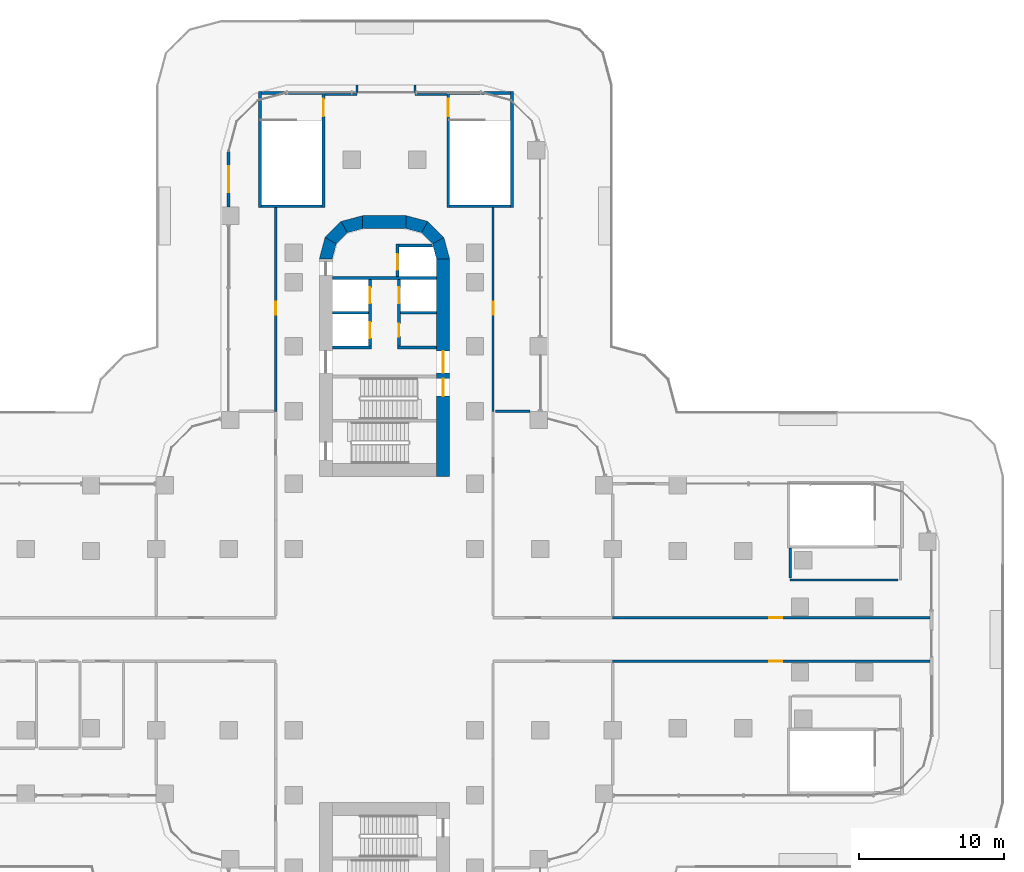
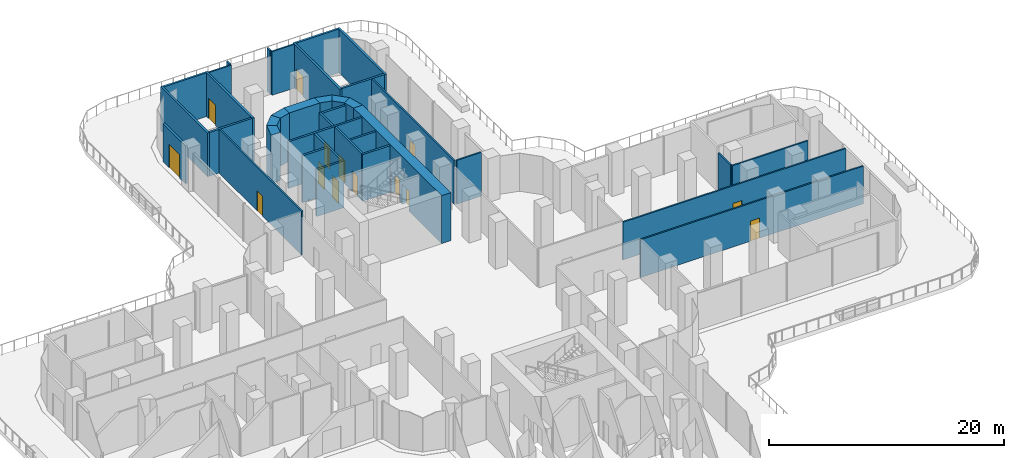
# One storey, part 16 of 21: 37 walls, 14 doors, 14 openings.
"""IFC4 building model written with IfcOpenShell, lengths in metres."""

from ifc_helpers import new_model, si_unit, direction, frame, frame_2d, origin, place, context, subcontext, project, spatial, polyline, rectangle, outline, extrude, material, layer, layer_set, type_object, element, fill, save


model = new_model("IFC4")

# Units and contexts
model_context = context("Model", 3, precision=1e-05, world=origin(), true_north=direction((0.0, 1.0)))
body_context = subcontext(model_context, "Body", "Model", "MODEL_VIEW")
ifc_project = project(units=[si_unit("LENGTHUNIT", "METRE"), si_unit("AREAUNIT", "SQUARE_METRE"), si_unit("VOLUMEUNIT", "CUBIC_METRE"), si_unit("PLANEANGLEUNIT", "RADIAN"), si_unit("MASSUNIT", "GRAM", prefix="KILO")], contexts=[model_context])

# Site, building, storey
site_placement = place(None, origin())
site = spatial("IfcSite", under=ifc_project, at=site_placement, CompositionType="ELEMENT")
building_placement = place(site_placement, origin())
building = spatial("IfcBuilding", under=site, at=building_placement, Name="Zarbagh Exchange Tower", CompositionType="ELEMENT")
storey_placement = place(building_placement, frame((0.0, 0.0, 22.0)))
storey = spatial("IfcBuildingStorey", under=building, at=storey_placement, Name="L04", CompositionType="ELEMENT", Elevation=22.0)

# Walls
ifc_material_1 = material(Name="Plasterboard partition")
ifc_layer_1 = layer(ifc_material_1, 0.14990234375)
ifc_layer_set_1 = layer_set([ifc_layer_1], Name="Board partition 150")
wall_type_1 = type_object("IfcWallType", Name="Board partition 150", PredefinedType="PARTITIONING", material=ifc_layer_set_1)
wall_1_placement = place(storey_placement, frame((-4.10009765625, 37.60009765625, 0.0), z_axis=(0.0, 0.0, 1.0), x_axis=(1.0, 0.0, 0.0)))
element("IfcWall", 1, at=wall_1_placement, inside=storey, type_object=wall_type_1, Name="WL-L04-W001", PredefinedType="PARTITIONING", context=body_context, shape_type="SweptSolid", body=[
    extrude(rectangle(XDim=2.2001953125, YDim=0.14990234375, at=frame_2d((1.10009765625, 0.0))), origin(), (0.0, 0.0, 1.0), 4.550048828125),
])
wall_2_placement = place(storey_placement, frame((2.10009765625, 37.60009765625, 0.0), z_axis=(0.0, 0.0, 1.0), x_axis=(1.0, 0.0, 0.0)))
element("IfcWall", 2, at=wall_2_placement, inside=storey, type_object=wall_type_1, Name="WL-L04-W002", PredefinedType="PARTITIONING", context=body_context, shape_type="SweptSolid", body=[
    extrude(rectangle(XDim=2.199951171875, YDim=0.14990234375, at=frame_2d((1.10009765625, 0.0))), origin(), (0.0, 0.0, 1.0), 4.550048828125),
])
wall_3_placement = place(storey_placement, frame((35.449951171875, 4.10009765625, 0.0), z_axis=(0.0, 0.0, 1.0), x_axis=(-1.0, 0.0, 0.0)))
element("IfcWall", 3, at=wall_3_placement, inside=storey, type_object=wall_type_1, Name="WL-L04-W004", PredefinedType="PARTITIONING", context=body_context, shape_type="SweptSolid", body=[
    extrude(rectangle(XDim=7.449951171875, YDim=0.14990234375, at=frame_2d((3.72509765625, 0.0))), origin(), (0.0, 0.0, 1.0), 3.929931640625),
])
wall_4_placement = place(storey_placement, frame((28.0, 4.25, 0.0), z_axis=(0.0, 0.0, 1.0), x_axis=(0.0, 1.0, 0.0)))
element("IfcWall", 4, at=wall_4_placement, inside=storey, type_object=wall_type_1, Name="WL-L04-W005", PredefinedType="PARTITIONING", context=body_context, shape_type="SweptSolid", body=[
    extrude(rectangle(XDim=2.050048828125, YDim=0.14990234375, at=frame_2d((1.02490234375, 0.0))), origin(), (0.0, 0.0, 1.0), 3.929931640625),
])

# Wall, opening, door
wall_5_placement = place(storey_placement, frame((7.5, 30.0, 0.0), z_axis=(0.0, 0.0, 1.0), x_axis=(0.0, -1.0, 0.0)))
wall_5 = element("IfcWall", 5, at=wall_5_placement, inside=storey, type_object=wall_type_1, Name="WL-L04-W026", PredefinedType="PARTITIONING", context=body_context, shape_type="SweptSolid", body=[
    extrude(rectangle(XDim=14.25, YDim=0.14990234375, at=frame_2d((7.125, 0.0))), origin(), (0.0, 0.0, 1.0), 4.550048828125),
])
opening_1_placement = place(wall_5_placement, frame((6.675048828125, 0.0, 0.0)))
opening_1 = element("IfcOpeningElement", 6, at=opening_1_placement, cuts=wall_5, Name="Opening D41", PredefinedType="OPENING", context=body_context, shape_type="SweptSolid", body=[
    extrude(rectangle(XDim=0.89990234375, YDim=2.10009765625, at=frame_2d((0.449951171875, 1.050048828125))), frame((0.0, 0.0849609375, 0.0), z_axis=(0.0, -1.0, 0.0), x_axis=(1.0, 0.0, 0.0)), (0.0, 0.0, 1.0), 0.169921875),
])
ifc_material_2 = material(Name="Timber door leaf", Category="wood")
door_type_1 = type_object("IfcDoorType", Name="Door single 900x2100", OperationType="SINGLE_SWING_LEFT", PredefinedType="DOOR", material=ifc_material_2)
door_1_placement = place(opening_1_placement, origin())
door_1 = element("IfcDoor", 7, at=door_1_placement, inside=storey, type_object=door_type_1, Name="D05", OperationType="SINGLE_SWING_LEFT", OverallHeight=2.10009765625, OverallWidth=0.89990234375, PredefinedType="DOOR", context=body_context, shape_type="SweptSolid", body=[
    extrude(rectangle(XDim=0.89990234375, YDim=2.10009765625, at=frame_2d((0.449951171875, 1.050048828125))), frame((0.0, 0.02490234375, 0.0), z_axis=(0.0, -1.0, 0.0), x_axis=(1.0, 0.0, 0.0)), (0.0, 0.0, 1.0), 0.050048828125),
])
fill(opening_1, door_1)

wall_6_placement = place(storey_placement, frame((-7.5, 15.75, 0.0), z_axis=(0.0, 0.0, 1.0), x_axis=(0.0, 1.0, 0.0)))
wall_6 = element("IfcWall", 8, at=wall_6_placement, inside=storey, type_object=wall_type_1, Name="WL-L04-W028", PredefinedType="PARTITIONING", context=body_context, shape_type="SweptSolid", body=[
    extrude(rectangle(XDim=14.25, YDim=0.14990234375, at=frame_2d((7.125, 0.0))), origin(), (0.0, 0.0, 1.0), 4.550048828125),
])
opening_2_placement = place(wall_6_placement, frame((6.675048828125, 0.0, 0.0)))
opening_2 = element("IfcOpeningElement", 9, at=opening_2_placement, cuts=wall_6, Name="Opening D07", PredefinedType="OPENING", context=body_context, shape_type="SweptSolid", body=[
    extrude(rectangle(XDim=0.89990234375, YDim=2.10009765625, at=frame_2d((0.449951171875, 1.050048828125))), frame((0.0, 0.0849609375, 0.0), z_axis=(0.0, -1.0, 0.0), x_axis=(1.0, 0.0, 0.0)), (0.0, 0.0, 1.0), 0.169921875),
])
door_2_placement = place(opening_2_placement, origin())
door_2 = element("IfcDoor", 10, at=door_2_placement, inside=storey, type_object=door_type_1, Name="D07", OperationType="SINGLE_SWING_LEFT", OverallHeight=2.10009765625, OverallWidth=0.89990234375, PredefinedType="DOOR", context=body_context, shape_type="SweptSolid", body=[
    extrude(rectangle(XDim=0.89990234375, YDim=2.10009765625, at=frame_2d((0.449951171875, 1.050048828125))), frame((0.0, 0.02490234375, 0.0), z_axis=(0.0, -1.0, 0.0), x_axis=(1.0, 0.0, 0.0)), (0.0, 0.0, 1.0), 0.050048828125),
])
fill(opening_2, door_2)

wall_7_placement = place(storey_placement, frame((15.75, 1.5, 0.0), z_axis=(0.0, 0.0, 1.0), x_axis=(1.0, 0.0, 0.0)))
wall_7 = element("IfcWall", 11, at=wall_7_placement, inside=storey, type_object=wall_type_1, Name="WL-L04-W034", PredefinedType="PARTITIONING", context=body_context, shape_type="SweptSolid", body=[
    extrude(rectangle(XDim=21.89990234375, YDim=0.14990234375, at=frame_2d((10.949951171875, 0.0))), origin(), (0.0, 0.0, 1.0), 3.929931640625),
])
opening_3_placement = place(wall_7_placement, frame((10.800048828125, 0.0, 0.0)))
opening_3 = element("IfcOpeningElement", 12, at=opening_3_placement, cuts=wall_7, Name="Opening D12", PredefinedType="OPENING", context=body_context, shape_type="SweptSolid", body=[
    extrude(rectangle(XDim=0.89990234375, YDim=2.10009765625, at=frame_2d((0.449951171875, 1.050048828125))), frame((0.0, 0.0849609375, 0.0), z_axis=(0.0, -1.0, 0.0), x_axis=(1.0, 0.0, 0.0)), (0.0, 0.0, 1.0), 0.169921875),
])
door_3_placement = place(opening_3_placement, origin())
door_3 = element("IfcDoor", 13, at=door_3_placement, inside=storey, type_object=door_type_1, Name="D12", OperationType="SINGLE_SWING_LEFT", OverallHeight=2.10009765625, OverallWidth=0.89990234375, PredefinedType="DOOR", context=body_context, shape_type="SweptSolid", body=[
    extrude(rectangle(XDim=0.89990234375, YDim=2.10009765625, at=frame_2d((0.449951171875, 1.050048828125))), frame((0.0, 0.02490234375, 0.0), z_axis=(0.0, -1.0, 0.0), x_axis=(1.0, 0.0, 0.0)), (0.0, 0.0, 1.0), 0.050048828125),
])
fill(opening_3, door_3)

wall_8_placement = place(storey_placement, frame((37.64990234375, -1.5, 0.0), z_axis=(0.0, 0.0, 1.0), x_axis=(-1.0, 0.0, 0.0)))
wall_8 = element("IfcWall", 14, at=wall_8_placement, inside=storey, type_object=wall_type_1, Name="WL-L04-W036", PredefinedType="PARTITIONING", context=body_context, shape_type="SweptSolid", body=[
    extrude(rectangle(XDim=21.89990234375, YDim=0.14990234375, at=frame_2d((10.949951171875, 0.0))), origin(), (0.0, 0.0, 1.0), 3.929931640625),
])
opening_4_placement = place(wall_8_placement, frame((10.199951171875, 0.0, 0.0)))
opening_4 = element("IfcOpeningElement", 15, at=opening_4_placement, cuts=wall_8, Name="Opening D14", PredefinedType="OPENING", context=body_context, shape_type="SweptSolid", body=[
    extrude(rectangle(XDim=0.89990234375, YDim=2.10009765625, at=frame_2d((0.449951171875, 1.050048828125))), frame((0.0, 0.0849609375, 0.0), z_axis=(0.0, -1.0, 0.0), x_axis=(1.0, 0.0, 0.0)), (0.0, 0.0, 1.0), 0.169921875),
])
door_4_placement = place(opening_4_placement, origin())
door_4 = element("IfcDoor", 16, at=door_4_placement, inside=storey, type_object=door_type_1, Name="D14", OperationType="SINGLE_SWING_LEFT", OverallHeight=2.10009765625, OverallWidth=0.89990234375, PredefinedType="DOOR", context=body_context, shape_type="SweptSolid", body=[
    extrude(rectangle(XDim=0.89990234375, YDim=2.10009765625, at=frame_2d((0.449951171875, 1.050048828125))), frame((0.0, 0.02490234375, 0.0), z_axis=(0.0, -1.0, 0.0), x_axis=(1.0, 0.0, 0.0)), (0.0, 0.0, 1.0), 0.050048828125),
])
fill(opening_4, door_4)

# Walls
for number, where, z_axis, x_axis, name in (
    (17, (2.10009765625, 38.25, 0.0), (0.0, 0.0, 1.0), (0.0, -1.0, 0.0), "WL-L04-W042"),
    (18, (-1.89990234375, 37.75, 0.0), (0.0, 0.0, 1.0), (0.0, 1.0, 0.0), "WL-L04-W043"),
):
    element("IfcWall", number, at=place(storey_placement, frame(where, z_axis=z_axis, x_axis=x_axis)), inside=storey, type_object=wall_type_1, Name=name, PredefinedType="PARTITIONING", context=body_context, shape_type="SweptSolid", body=[
        extrude(rectangle(XDim=0.5, YDim=0.14990234375, at=frame_2d((0.25, 0.0))), origin(), (0.0, 0.0, 1.0), 4.550048828125),
    ])
wall_9_placement = place(storey_placement, frame((7.64990234375, 15.75, 0.0), z_axis=(0.0, 0.0, 1.0), x_axis=(1.0, 0.0, 0.0)))
element("IfcWall", 19, at=wall_9_placement, inside=storey, type_object=wall_type_1, Name="WL-L04-W046", PredefinedType="PARTITIONING", context=body_context, shape_type="SweptSolid", body=[
    extrude(rectangle(XDim=2.400146484375, YDim=0.14990234375, at=frame_2d((1.2001953125, 0.0))), origin(), (0.0, 0.0, 1.0), 4.550048828125),
])
ifc_material_3 = material(Name="Concrete C60/75", Category="concrete")
ifc_layer_2 = layer(ifc_material_3, 0.89990234375)
ifc_layer_set_2 = layer_set([ifc_layer_2], Name="RC core corner wall 900 C60/75")
wall_type_2 = type_object("IfcWallType", Name="RC core corner wall 900 C60/75", PredefinedType="SHEAR", material=ifc_layer_set_2)
wall_10_placement = place(storey_placement, origin())
element("IfcWall", 20, at=wall_10_placement, inside=storey, type_object=wall_type_2, Name="CW2 core N corner W", PredefinedType="SHEAR", context=body_context, shape_type="SweptSolid", body=[
    extrude(outline(polyline([(-4.5, 26.25), (-4.09814453125, 27.75), (-3.318603515625, 27.300048828125), (-3.60009765625, 26.25), (-4.5, 26.25)])), origin(), (0.0, 0.0, 1.0), 5.0),
])
wall_11_placement = place(storey_placement, origin())
element("IfcWall", 21, at=wall_11_placement, inside=storey, type_object=wall_type_2, Name="CW2 core N corner W", PredefinedType="SHEAR", context=body_context, shape_type="SweptSolid", body=[
    extrude(outline(polyline([(-4.09814453125, 27.75), (-3.0, 28.84814453125), (-2.550048828125, 28.068603515625), (-3.318603515625, 27.300048828125), (-4.09814453125, 27.75)])), origin(), (0.0, 0.0, 1.0), 5.0),
])
wall_12_placement = place(storey_placement, origin())
element("IfcWall", 22, at=wall_12_placement, inside=storey, type_object=wall_type_2, Name="CW2 core N corner W", PredefinedType="SHEAR", context=body_context, shape_type="SweptSolid", body=[
    extrude(outline(polyline([(-3.0, 28.84814453125), (-1.5, 29.25), (-1.5, 28.35009765625), (-2.550048828125, 28.068603515625), (-3.0, 28.84814453125)])), origin(), (0.0, 0.0, 1.0), 5.0),
])
wall_13_placement = place(storey_placement, origin())
element("IfcWall", 23, at=wall_13_placement, inside=storey, type_object=wall_type_2, Name="CW2 core N corner E", PredefinedType="SHEAR", context=body_context, shape_type="SweptSolid", body=[
    extrude(outline(polyline([(4.5, 26.25), (4.09814453125, 27.75), (3.318603515625, 27.300048828125), (3.60009765625, 26.25), (4.5, 26.25)])), origin(), (0.0, 0.0, 1.0), 5.0),
])
wall_14_placement = place(storey_placement, origin())
element("IfcWall", 24, at=wall_14_placement, inside=storey, type_object=wall_type_2, Name="CW2 core N corner E", PredefinedType="SHEAR", context=body_context, shape_type="SweptSolid", body=[
    extrude(outline(polyline([(4.09814453125, 27.75), (3.0, 28.84814453125), (2.550048828125, 28.068603515625), (3.318603515625, 27.300048828125), (4.09814453125, 27.75)])), origin(), (0.0, 0.0, 1.0), 5.0),
])
wall_15_placement = place(storey_placement, origin())
element("IfcWall", 25, at=wall_15_placement, inside=storey, type_object=wall_type_2, Name="CW2 core N corner E", PredefinedType="SHEAR", context=body_context, shape_type="SweptSolid", body=[
    extrude(outline(polyline([(3.0, 28.84814453125), (1.5, 29.25), (1.5, 28.35009765625), (2.550048828125, 28.068603515625), (3.0, 28.84814453125)])), origin(), (0.0, 0.0, 1.0), 5.0),
])

# Wall, openings, doors
ifc_layer_3 = layer(ifc_material_3, 0.89990234375)
ifc_layer_set_3 = layer_set([ifc_layer_3], Name="RC core wall 900 C60/75")
wall_type_3 = type_object("IfcWallType", Name="RC core wall 900 C60/75", PredefinedType="SHEAR", material=ifc_layer_set_3)
wall_16_placement = place(storey_placement, frame((4.050048828125, 11.25, 0.0), z_axis=(0.0, 0.0, 1.0), x_axis=(0.0, 1.0, 0.0)))
wall_16 = element("IfcWall", 26, at=wall_16_placement, inside=storey, type_object=wall_type_3, Name="CW1 core N E", PredefinedType="SHEAR", context=body_context, shape_type="SweptSolid", body=[
    extrude(rectangle(XDim=15.0, YDim=0.89990234375, at=frame_2d((7.5, 0.0))), origin(), (0.0, 0.0, 1.0), 5.0),
])
opening_5_placement = place(wall_16_placement, frame((7.14990234375, 0.0, 0.0)))
opening_5 = element("IfcOpeningElement", 27, at=opening_5_placement, cuts=wall_16, Name="Opening CD1-1500", PredefinedType="OPENING", context=body_context, shape_type="SweptSolid", body=[
    extrude(rectangle(XDim=1.5, YDim=2.300048828125, at=frame_2d((0.75, 1.14990234375))), frame((0.0, 0.4599609375, 0.0), z_axis=(0.0, -1.0, 0.0), x_axis=(1.0, 0.0, 0.0)), (0.0, 0.0, 1.0), 0.919921875),
])
opening_6_placement = place(wall_16_placement, frame((5.550048828125, 0.0, 0.0)))
opening_6 = element("IfcOpeningElement", 28, at=opening_6_placement, cuts=wall_16, Name="Opening SD1-1200", PredefinedType="OPENING", context=body_context, shape_type="SweptSolid", body=[
    extrude(rectangle(XDim=1.199951171875, YDim=2.10009765625, at=frame_2d((0.60009765625, 1.050048828125))), frame((0.0, 0.4599609375, 0.0), z_axis=(0.0, -1.0, 0.0), x_axis=(1.0, 0.0, 0.0)), (0.0, 0.0, 1.0), 0.919921875),
])
ifc_material_4 = material(Name="Steel", Category="steel")
door_type_2 = type_object("IfcDoorType", Name="Exit stair door 1200 x 2100", OperationType="NOTDEFINED", PredefinedType="DOOR", material=ifc_material_4)
door_5_placement = place(opening_6_placement, origin())
door_5 = element("IfcDoor", 29, at=door_5_placement, inside=storey, type_object=door_type_2, Name="North core stair door ST1", OperationType="SINGLE_SWING_RIGHT", OverallHeight=2.10009765625, OverallWidth=1.199951171875, PredefinedType="DOOR", context=body_context, shape_type="SweptSolid", body=[
    extrude(rectangle(XDim=1.199951171875, YDim=2.10009765625, at=frame_2d((0.60009765625, 1.050048828125))), frame((0.0, 0.02490234375, 0.0), z_axis=(0.0, -1.0, 0.0), x_axis=(1.0, 0.0, 0.0)), (0.0, 0.0, 1.0), 0.050048828125),
])
fill(opening_6, door_5)
door_type_3 = type_object("IfcDoorType", Name="Lift lobby double door 1500 x 2300", OperationType="NOTDEFINED", PredefinedType="DOOR", material=ifc_material_4)
door_6_placement = place(opening_5_placement, origin())
door_6 = element("IfcDoor", 30, at=door_6_placement, inside=storey, type_object=door_type_3, Name="North core lift lobby door LOBBY-E", OperationType="DOUBLE_DOOR_SINGLE_SWING", OverallHeight=2.300048828125, OverallWidth=1.5, PredefinedType="DOOR", context=body_context, shape_type="SweptSolid", body=[
    extrude(rectangle(XDim=1.5, YDim=2.300048828125, at=frame_2d((0.75, 1.14990234375))), frame((0.0, 0.02490234375, 0.0), z_axis=(0.0, -1.0, 0.0), x_axis=(1.0, 0.0, 0.0)), (0.0, 0.0, 1.0), 0.050048828125),
])
fill(opening_5, door_6)

# Walls
wall_17_placement = place(storey_placement, frame((-1.5, 28.800048828125, 0.0), z_axis=(0.0, 0.0, 1.0), x_axis=(1.0, 0.0, 0.0)))
element("IfcWall", 31, at=wall_17_placement, inside=storey, type_object=wall_type_3, Name="CW1 core N outer end", PredefinedType="SHEAR", context=body_context, shape_type="SweptSolid", body=[
    extrude(rectangle(XDim=3.0, YDim=0.89990234375, at=frame_2d((1.5, 0.0))), origin(), (0.0, 0.0, 1.0), 5.0),
])
ifc_material_5 = material(Name="Dense blockwork", Category="masonry")
ifc_layer_4 = layer(ifc_material_5, 0.199951171875)
ifc_layer_set_4 = layer_set([ifc_layer_4], Name="Shaft wall 200 mm blockwork")
wall_type_4 = type_object("IfcWallType", Name="Shaft wall 200 mm blockwork", PredefinedType="PARTITIONING", material=ifc_layer_set_4)
wall_18_placement = place(storey_placement, frame((-3.60009765625, 20.14990234375, 0.0), z_axis=(0.0, 0.0, 1.0), x_axis=(1.0, 0.0, 0.0)))
element("IfcWall", 32, at=wall_18_placement, inside=storey, type_object=wall_type_4, Name="North core shaft wall AB-W", PredefinedType="PARTITIONING", context=body_context, shape_type="SweptSolid", body=[
    extrude(rectangle(XDim=2.7001953125, YDim=0.199951171875, at=frame_2d((1.35009765625, 0.0))), origin(), (0.0, 0.0, 1.0), 4.85009765625),
])

# Wall, openings, doors
wall_19_placement = place(storey_placement, frame((-1.0, 24.85009765625, 0.0), z_axis=(0.0, 0.0, 1.0), x_axis=(0.0, -1.0, 0.0)))
wall_19 = element("IfcWall", 33, at=wall_19_placement, inside=storey, type_object=wall_type_4, Name="North core shaft wall LW-W", PredefinedType="PARTITIONING", context=body_context, shape_type="SweptSolid", body=[
    extrude(rectangle(XDim=4.60009765625, YDim=0.199951171875, at=frame_2d((2.300048828125, 0.0))), origin(), (0.0, 0.0, 1.0), 4.85009765625),
])
opening_7_placement = place(wall_19_placement, frame((0.550048828125, 0.0, 0.0)))
opening_7 = element("IfcOpeningElement", 34, at=opening_7_placement, cuts=wall_19, Name="Opening LD-1100", PredefinedType="OPENING", context=body_context, shape_type="SweptSolid", body=[
    extrude(rectangle(XDim=1.10009765625, YDim=2.300048828125, at=frame_2d((0.550048828125, 1.14990234375))), frame((0.0, 0.10986328125, 0.0), z_axis=(0.0, -1.0, 0.0), x_axis=(1.0, 0.0, 0.0)), (0.0, 0.0, 1.0), 0.219970703125),
])
opening_8_placement = place(wall_19_placement, frame((2.949951171875, 0.0, 0.0)))
opening_8 = element("IfcOpeningElement", 35, at=opening_8_placement, cuts=wall_19, Name="Opening LD-1100", PredefinedType="OPENING", context=body_context, shape_type="SweptSolid", body=[
    extrude(rectangle(XDim=1.10009765625, YDim=2.300048828125, at=frame_2d((0.550048828125, 1.14990234375))), frame((0.0, 0.10986328125, 0.0), z_axis=(0.0, -1.0, 0.0), x_axis=(1.0, 0.0, 0.0)), (0.0, 0.0, 1.0), 0.219970703125),
])
ifc_material_6 = material(Name="Stainless steel", Category="steel")
door_type_4 = type_object("IfcDoorType", Name="Lift landing door 1100 x 2300", OperationType="NOTDEFINED", PredefinedType="DOOR", material=ifc_material_6)
door_7_placement = place(opening_7_placement, origin())
door_7 = element("IfcDoor", 36, at=door_7_placement, inside=storey, type_object=door_type_4, Name="North core lift landing door LD-P-N1", OperationType="DOUBLE_DOOR_SLIDING", OverallHeight=2.300048828125, OverallWidth=1.10009765625, PredefinedType="DOOR", context=body_context, shape_type="SweptSolid", body=[
    extrude(rectangle(XDim=1.10009765625, YDim=2.300048828125, at=frame_2d((0.550048828125, 1.14990234375))), frame((0.0, 0.02490234375, 0.0), z_axis=(0.0, -1.0, 0.0), x_axis=(1.0, 0.0, 0.0)), (0.0, 0.0, 1.0), 0.050048828125),
])
fill(opening_7, door_7)
door_8_placement = place(opening_8_placement, origin())
door_8 = element("IfcDoor", 37, at=door_8_placement, inside=storey, type_object=door_type_4, Name="North core lift landing door LD-P-N2", OperationType="DOUBLE_DOOR_SLIDING", OverallHeight=2.300048828125, OverallWidth=1.10009765625, PredefinedType="DOOR", context=body_context, shape_type="SweptSolid", body=[
    extrude(rectangle(XDim=1.10009765625, YDim=2.300048828125, at=frame_2d((0.550048828125, 1.14990234375))), frame((0.0, 0.02490234375, 0.0), z_axis=(0.0, -1.0, 0.0), x_axis=(1.0, 0.0, 0.0)), (0.0, 0.0, 1.0), 0.050048828125),
])
fill(opening_8, door_8)

# Wall
wall_20_placement = place(storey_placement, frame((0.89990234375, 20.14990234375, 0.0), z_axis=(0.0, 0.0, 1.0), x_axis=(1.0, 0.0, 0.0)))
element("IfcWall", 38, at=wall_20_placement, inside=storey, type_object=wall_type_4, Name="North core shaft wall AB-E", PredefinedType="PARTITIONING", context=body_context, shape_type="SweptSolid", body=[
    extrude(rectangle(XDim=2.7001953125, YDim=0.199951171875, at=frame_2d((1.35009765625, 0.0))), origin(), (0.0, 0.0, 1.0), 4.85009765625),
])

# Wall, openings, doors
wall_21_placement = place(storey_placement, frame((1.0, 24.85009765625, 0.0), z_axis=(0.0, 0.0, 1.0), x_axis=(0.0, -1.0, 0.0)))
wall_21 = element("IfcWall", 39, at=wall_21_placement, inside=storey, type_object=wall_type_4, Name="North core shaft wall LW-E", PredefinedType="PARTITIONING", context=body_context, shape_type="SweptSolid", body=[
    extrude(rectangle(XDim=4.60009765625, YDim=0.199951171875, at=frame_2d((2.300048828125, 0.0))), origin(), (0.0, 0.0, 1.0), 4.85009765625),
])
opening_9_placement = place(wall_21_placement, frame((0.550048828125, 0.0, 0.0)))
opening_9 = element("IfcOpeningElement", 40, at=opening_9_placement, cuts=wall_21, Name="Opening LD-1100", PredefinedType="OPENING", context=body_context, shape_type="SweptSolid", body=[
    extrude(rectangle(XDim=1.10009765625, YDim=2.300048828125, at=frame_2d((0.550048828125, 1.14990234375))), frame((0.0, 0.10986328125, 0.0), z_axis=(0.0, -1.0, 0.0), x_axis=(1.0, 0.0, 0.0)), (0.0, 0.0, 1.0), 0.219970703125),
])
opening_10_placement = place(wall_21_placement, frame((3.050048828125, 0.0, 0.0)))
opening_10 = element("IfcOpeningElement", 41, at=opening_10_placement, cuts=wall_21, Name="Opening CD3-900", PredefinedType="OPENING", context=body_context, shape_type="SweptSolid", body=[
    extrude(rectangle(XDim=0.89990234375, YDim=2.10009765625, at=frame_2d((0.449951171875, 1.050048828125))), frame((0.0, 0.10986328125, 0.0), z_axis=(0.0, -1.0, 0.0), x_axis=(1.0, 0.0, 0.0)), (0.0, 0.0, 1.0), 0.219970703125),
])
door_type_5 = type_object("IfcDoorType", Name="Core room door 900 x 2100", OperationType="NOTDEFINED", PredefinedType="DOOR", material=ifc_material_4)
door_9_placement = place(opening_10_placement, origin())
door_9 = element("IfcDoor", 42, at=door_9_placement, inside=storey, type_object=door_type_5, Name="North core Accessible WC door RD-E-0", OperationType="SINGLE_SWING_RIGHT", OverallHeight=2.10009765625, OverallWidth=0.89990234375, PredefinedType="DOOR", context=body_context, shape_type="SweptSolid", body=[
    extrude(rectangle(XDim=0.89990234375, YDim=2.10009765625, at=frame_2d((0.449951171875, 1.050048828125))), frame((0.0, 0.02490234375, 0.0), z_axis=(0.0, -1.0, 0.0), x_axis=(1.0, 0.0, 0.0)), (0.0, 0.0, 1.0), 0.050048828125),
])
fill(opening_10, door_9)
door_10_placement = place(opening_9_placement, origin())
door_10 = element("IfcDoor", 43, at=door_10_placement, inside=storey, type_object=door_type_4, Name="North core lift landing door LD-P-N3", OperationType="DOUBLE_DOOR_SLIDING", OverallHeight=2.300048828125, OverallWidth=1.10009765625, PredefinedType="DOOR", context=body_context, shape_type="SweptSolid", body=[
    extrude(rectangle(XDim=1.10009765625, YDim=2.300048828125, at=frame_2d((0.550048828125, 1.14990234375))), frame((0.0, 0.02490234375, 0.0), z_axis=(0.0, -1.0, 0.0), x_axis=(1.0, 0.0, 0.0)), (0.0, 0.0, 1.0), 0.050048828125),
])
fill(opening_9, door_10)

# Walls
for number, where, z_axis, x_axis, name in (
    (44, (-3.60009765625, 22.550048828125, 0.0), (0.0, 0.0, 1.0), (1.0, 0.0, 0.0), "North core shaft wall TR-W"),
    (45, (1.10009765625, 22.550048828125, 0.0), (0.0, 0.0, 1.0), (1.0, 0.0, 0.0), "North core shaft wall TR-E"),
):
    element("IfcWall", number, at=place(storey_placement, frame(where, z_axis=z_axis, x_axis=x_axis)), inside=storey, type_object=wall_type_4, Name=name, PredefinedType="PARTITIONING", context=body_context, shape_type="SweptSolid", body=[
        extrude(rectangle(XDim=2.5, YDim=0.199951171875, at=frame_2d((1.25, 0.0))), origin(), (0.0, 0.0, 1.0), 4.85009765625),
    ])
ifc_material_7 = material(Name="Concrete C40/50", Category="concrete")
ifc_layer_5 = layer(ifc_material_7, 0.199951171875)
ifc_layer_set_5 = layer_set([ifc_layer_5], Name="Stair enclosure wall 200 mm RC C40/50")
wall_type_5 = type_object("IfcWallType", Name="Stair enclosure wall 200 mm RC C40/50", PredefinedType="SHEAR", material=ifc_layer_set_5)
wall_22_placement = place(storey_placement, frame((-3.60009765625, 24.949951171875, 0.0), z_axis=(0.0, 0.0, 1.0), x_axis=(1.0, 0.0, 0.0)))
element("IfcWall", 46, at=wall_22_placement, inside=storey, type_object=wall_type_5, Name="North core lift shaft wall FFA", PredefinedType="SHEAR", context=body_context, shape_type="SweptSolid", body=[
    extrude(rectangle(XDim=7.2001953125, YDim=0.199951171875, at=frame_2d((3.60009765625, 0.0))), origin(), (0.0, 0.0, 1.0), 4.85009765625),
])

# Wall, opening, door
wall_23_placement = place(storey_placement, frame((0.89990234375, 27.300048828125, 0.0), z_axis=(0.0, 0.0, 1.0), x_axis=(0.0, -1.0, 0.0)))
wall_23 = element("IfcWall", 47, at=wall_23_placement, inside=storey, type_object=wall_type_5, Name="North core lift shaft wall FFL", PredefinedType="SHEAR", context=body_context, shape_type="SweptSolid", body=[
    extrude(rectangle(XDim=2.25, YDim=0.199951171875, at=frame_2d((1.125, 0.0))), origin(), (0.0, 0.0, 1.0), 4.85009765625),
])
opening_11_placement = place(wall_23_placement, frame((0.699951171875, 0.0, 0.0)))
opening_11 = element("IfcOpeningElement", 48, at=opening_11_placement, cuts=wall_23, Name="Opening LD-1100", PredefinedType="OPENING", context=body_context, shape_type="SweptSolid", body=[
    extrude(rectangle(XDim=1.10009765625, YDim=2.300048828125, at=frame_2d((0.550048828125, 1.14990234375))), frame((0.0, 0.10986328125, 0.0), z_axis=(0.0, -1.0, 0.0), x_axis=(1.0, 0.0, 0.0)), (0.0, 0.0, 1.0), 0.219970703125),
])
door_11_placement = place(opening_11_placement, origin())
door_11 = element("IfcDoor", 49, at=door_11_placement, inside=storey, type_object=door_type_4, Name="North core lift landing door LD-F", OperationType="DOUBLE_DOOR_SLIDING", OverallHeight=2.300048828125, OverallWidth=1.10009765625, PredefinedType="DOOR", context=body_context, shape_type="SweptSolid", body=[
    extrude(rectangle(XDim=1.10009765625, YDim=2.300048828125, at=frame_2d((0.550048828125, 1.14990234375))), frame((0.0, 0.02490234375, 0.0), z_axis=(0.0, -1.0, 0.0), x_axis=(1.0, 0.0, 0.0)), (0.0, 0.0, 1.0), 0.050048828125),
])
fill(opening_11, door_11)

# Walls
wall_24_placement = place(storey_placement, origin())
element("IfcWall", 50, at=wall_24_placement, inside=storey, type_object=wall_type_5, Name="North core lift shaft wall FFX", PredefinedType="SHEAR", context=body_context, shape_type="SweptSolid", body=[
    extrude(outline(polyline([(1.0, 27.10009765625), (3.340576171875, 27.10009765625), (3.291259765625, 27.2841796875), (3.275390625, 27.300048828125), (1.0, 27.300048828125), (1.0, 27.10009765625)])), origin(), (0.0, 0.0, 1.0), 4.85009765625),
])
wall_25_placement = place(storey_placement, frame((-8.60009765625, 29.800048828125, 0.0), z_axis=(0.0, 0.0, 1.0), x_axis=(0.0, 1.0, 0.0)))
element("IfcWall", 51, at=wall_25_placement, inside=storey, type_object=wall_type_5, Name="Exit stair PS1 enclosure wall W", PredefinedType="SHEAR", context=body_context, shape_type="SweptSolid", body=[
    extrude(rectangle(XDim=8.0, YDim=0.199951171875, at=frame_2d((4.0, 0.0))), origin(), (0.0, 0.0, 1.0), 4.550048828125),
])

# Wall, opening, door
wall_26_placement = place(storey_placement, frame((-4.199951171875, 29.800048828125, 0.0), z_axis=(0.0, 0.0, 1.0), x_axis=(0.0, 1.0, 0.0)))
wall_26 = element("IfcWall", 52, at=wall_26_placement, inside=storey, type_object=wall_type_5, Name="Exit stair PS1 enclosure wall E", PredefinedType="SHEAR", context=body_context, shape_type="SweptSolid", body=[
    extrude(rectangle(XDim=8.0, YDim=0.199951171875, at=frame_2d((4.0, 0.0))), origin(), (0.0, 0.0, 1.0), 4.550048828125),
])
opening_12_placement = place(wall_26_placement, frame((6.300048828125, 0.0, 0.0)))
opening_12 = element("IfcOpeningElement", 53, at=opening_12_placement, cuts=wall_26, Name="Opening SD1-1200", PredefinedType="OPENING", context=body_context, shape_type="SweptSolid", body=[
    extrude(rectangle(XDim=1.199951171875, YDim=2.10009765625, at=frame_2d((0.60009765625, 1.050048828125))), frame((0.0, 0.10986328125, 0.0), z_axis=(0.0, -1.0, 0.0), x_axis=(1.0, 0.0, 0.0)), (0.0, 0.0, 1.0), 0.219970703125),
])
door_12_placement = place(opening_12_placement, origin())
door_12 = element("IfcDoor", 54, at=door_12_placement, inside=storey, type_object=door_type_2, Name="Exit stair PS1 entry door", OperationType="SINGLE_SWING_RIGHT", OverallHeight=2.10009765625, OverallWidth=1.199951171875, PredefinedType="DOOR", context=body_context, shape_type="SweptSolid", body=[
    extrude(rectangle(XDim=1.199951171875, YDim=2.10009765625, at=frame_2d((0.60009765625, 1.050048828125))), frame((0.0, 0.02490234375, 0.0), z_axis=(0.0, -1.0, 0.0), x_axis=(1.0, 0.0, 0.0)), (0.0, 0.0, 1.0), 0.050048828125),
])
fill(opening_12, door_12)

# Walls
for number, where, z_axis, x_axis, name in (
    (55, (-8.5, 29.89990234375, 0.0), (0.0, 0.0, 1.0), (1.0, 0.0, 0.0), "Exit stair PS1 enclosure wall S"),
    (56, (-8.5, 37.699951171875, 0.0), (0.0, 0.0, 1.0), (1.0, 0.0, 0.0), "Exit stair PS1 enclosure wall N"),
):
    element("IfcWall", number, at=place(storey_placement, frame(where, z_axis=z_axis, x_axis=x_axis)), inside=storey, type_object=wall_type_5, Name=name, PredefinedType="SHEAR", context=body_context, shape_type="SweptSolid", body=[
        extrude(rectangle(XDim=4.199951171875, YDim=0.199951171875, at=frame_2d((2.10009765625, 0.0))), origin(), (0.0, 0.0, 1.0), 4.550048828125),
    ])

# Wall, opening, door
wall_27_placement = place(storey_placement, frame((4.39990234375, 29.800048828125, 0.0), z_axis=(0.0, 0.0, 1.0), x_axis=(0.0, 1.0, 0.0)))
wall_27 = element("IfcWall", 57, at=wall_27_placement, inside=storey, type_object=wall_type_5, Name="Exit stair PS2 enclosure wall W", PredefinedType="SHEAR", context=body_context, shape_type="SweptSolid", body=[
    extrude(rectangle(XDim=8.0, YDim=0.199951171875, at=frame_2d((4.0, 0.0))), origin(), (0.0, 0.0, 1.0), 4.550048828125),
])
opening_13_placement = place(wall_27_placement, frame((6.300048828125, 0.0, 0.0)))
opening_13 = element("IfcOpeningElement", 58, at=opening_13_placement, cuts=wall_27, Name="Opening SD1-1200", PredefinedType="OPENING", context=body_context, shape_type="SweptSolid", body=[
    extrude(rectangle(XDim=1.199951171875, YDim=2.10009765625, at=frame_2d((0.60009765625, 1.050048828125))), frame((0.0, 0.10986328125, 0.0), z_axis=(0.0, -1.0, 0.0), x_axis=(1.0, 0.0, 0.0)), (0.0, 0.0, 1.0), 0.219970703125),
])
door_13_placement = place(opening_13_placement, origin())
door_13 = element("IfcDoor", 59, at=door_13_placement, inside=storey, type_object=door_type_2, Name="Exit stair PS2 entry door", OperationType="SINGLE_SWING_LEFT", OverallHeight=2.10009765625, OverallWidth=1.199951171875, PredefinedType="DOOR", context=body_context, shape_type="SweptSolid", body=[
    extrude(rectangle(XDim=1.199951171875, YDim=2.10009765625, at=frame_2d((0.60009765625, 1.050048828125))), frame((0.0, 0.02490234375, 0.0), z_axis=(0.0, -1.0, 0.0), x_axis=(1.0, 0.0, 0.0)), (0.0, 0.0, 1.0), 0.050048828125),
])
fill(opening_13, door_13)

# Walls
wall_28_placement = place(storey_placement, frame((8.800048828125, 29.800048828125, 0.0), z_axis=(0.0, 0.0, 1.0), x_axis=(0.0, 1.0, 0.0)))
element("IfcWall", 60, at=wall_28_placement, inside=storey, type_object=wall_type_5, Name="Exit stair PS2 enclosure wall E", PredefinedType="SHEAR", context=body_context, shape_type="SweptSolid", body=[
    extrude(rectangle(XDim=8.0, YDim=0.199951171875, at=frame_2d((4.0, 0.0))), origin(), (0.0, 0.0, 1.0), 4.550048828125),
])
for number, where, z_axis, x_axis, name in (
    (61, (4.5, 29.89990234375, 0.0), (0.0, 0.0, 1.0), (1.0, 0.0, 0.0), "Exit stair PS2 enclosure wall S"),
    (62, (4.5, 37.699951171875, 0.0), (0.0, 0.0, 1.0), (1.0, 0.0, 0.0), "Exit stair PS2 enclosure wall N"),
):
    element("IfcWall", number, at=place(storey_placement, frame(where, z_axis=z_axis, x_axis=x_axis)), inside=storey, type_object=wall_type_5, Name=name, PredefinedType="SHEAR", context=body_context, shape_type="SweptSolid", body=[
        extrude(rectangle(XDim=4.199951171875, YDim=0.199951171875, at=frame_2d((2.10009765625, 0.0))), origin(), (0.0, 0.0, 1.0), 4.550048828125),
    ])

# Wall, opening, door
ifc_material_8 = material(Name="Precast concrete C50/60", Category="concrete")
ifc_layer_6 = layer(ifc_material_8, 0.199951171875)
ifc_layer_set_6 = layer_set([ifc_layer_6], Name="Terrace door wall, precast concrete C50/60")
wall_type_6 = type_object("IfcWallType", Name="Terrace door wall, precast concrete C50/60", PredefinedType="SOLIDWALL", material=ifc_layer_set_6)
wall_29_placement = place(storey_placement, frame((-10.75, 33.68408203125, 0.0), z_axis=(0.0, 0.0, 1.0), x_axis=(0.0, -1.0, 0.0)))
wall_29 = element("IfcWall", 63, at=wall_29_placement, inside=storey, type_object=wall_type_6, Name="TW30 door wall", PredefinedType="SOLIDWALL", context=body_context, shape_type="SweptSolid", body=[
    extrude(rectangle(XDim=3.834228515625, YDim=0.199951171875, at=frame_2d((1.9169921875, 0.0))), origin(), (0.0, 0.0, 1.0), 3.949951171875),
])
opening_14_placement = place(wall_29_placement, frame((1.01708984375, 0.0, 0.0)))
opening_14 = element("IfcOpeningElement", 64, at=opening_14_placement, cuts=wall_29, Name="Opening TD03", PredefinedType="OPENING", context=body_context, shape_type="SweptSolid", body=[
    extrude(rectangle(XDim=1.800048828125, YDim=2.39990234375, at=frame_2d((0.89990234375, 1.199951171875))), frame((0.0, 0.10986328125, 0.0), z_axis=(0.0, -1.0, 0.0), x_axis=(1.0, 0.0, 0.0)), (0.0, 0.0, 1.0), 0.219970703125),
])
ifc_material_9 = material(Name="Anodised aluminium and glass", Category="aluminium")
door_type_6 = type_object("IfcDoorType", Name="Terrace door, double leaf, aluminium and glass", OperationType="DOUBLE_DOOR_DOUBLE_SWING", PredefinedType="DOOR", material=ifc_material_9)
door_14_placement = place(opening_14_placement, origin())
door_14 = element("IfcDoor", 65, at=door_14_placement, inside=storey, type_object=door_type_6, Name="TD03 terrace door", OperationType="SINGLE_SWING_LEFT", OverallHeight=2.39990234375, OverallWidth=1.800048828125, PredefinedType="DOOR", context=body_context, shape_type="SweptSolid", body=[
    extrude(rectangle(XDim=1.800048828125, YDim=2.39990234375, at=frame_2d((0.89990234375, 1.199951171875))), frame((0.0, 0.02490234375, 0.0), z_axis=(0.0, -1.0, 0.0), x_axis=(1.0, 0.0, 0.0)), (0.0, 0.0, 1.0), 0.050048828125),
])
fill(opening_14, door_14)

save(model, "model.ifc")
